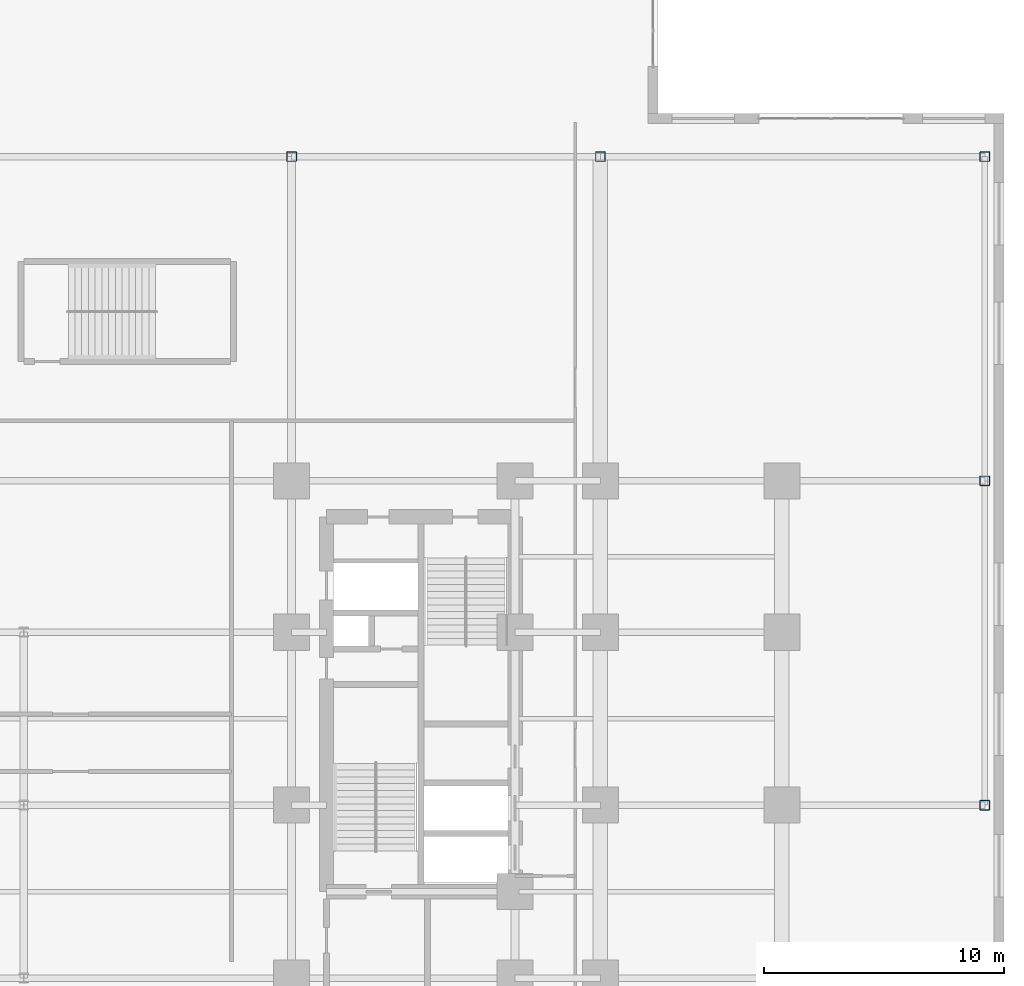
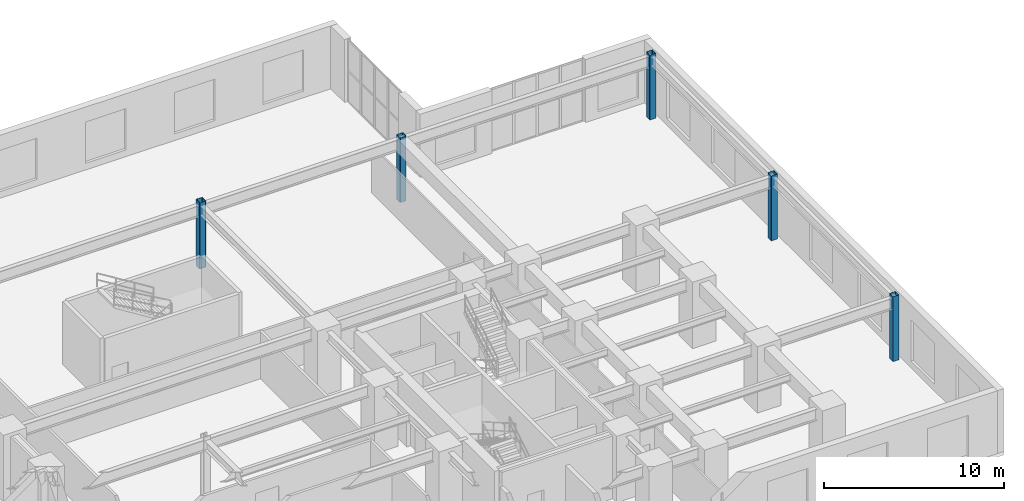
# One storey, part 2 of 15: 5 columns.
"""IFC4 building model written with IfcOpenShell, lengths in metres."""

from ifc_helpers import new_model, entity, si_unit, converted_unit, direction, frame, origin_with_axes, origin_2d_with_axis, place, context, subcontext, project, spatial, hollow_rectangle, extrude, material, material_profile, profile_set, type_object, element, save


model = new_model("IFC4")

# Units and contexts
model_context = context("Model", 3, precision=1e-05, world=origin_with_axes(), true_north=direction((0.0, 1.0)))
body_context = subcontext(model_context, "Body", "Model", "MODEL_VIEW")
ifc_project = project(units=[si_unit("LENGTHUNIT", "METRE"), si_unit("AREAUNIT", "SQUARE_METRE"), si_unit("VOLUMEUNIT", "CUBIC_METRE"), converted_unit("PLANEANGLEUNIT", "DEGREE", entity("IfcPlaneAngleMeasure", 0.017453292519943295), si_unit("PLANEANGLEUNIT", "RADIAN"), dimensions=[0, 0, 0, 0, 0, 0, 0]), si_unit("MASSUNIT", "GRAM", prefix="KILO"), si_unit("THERMODYNAMICTEMPERATUREUNIT", "KELVIN")], contexts=[model_context])

# Site, building, storey
site_placement = place(None, origin_with_axes())
site = spatial("IfcSite", under=ifc_project, at=site_placement, CompositionType="ELEMENT")
building_placement = place(site_placement, origin_with_axes())
building = spatial("IfcBuilding", under=site, at=building_placement, Name="Varnlund Millrace Tower", CompositionType="ELEMENT")
storey_placement = place(building_placement, frame((0.0, 0.0, 15.3), z_axis=(0.0, 0.0, 1.0), x_axis=(1.0, 0.0, 0.0)))
storey = spatial("IfcBuildingStorey", under=building, at=storey_placement, Name="L03", CompositionType="ELEMENT", Elevation=15.3)

# Columns
ifc_material = material(Name="Steel ASTM A500 Grade C", Category="steel")
ifc_material_profile = material_profile(ifc_material, hollow_rectangle(XDim=0.406, YDim=0.406, WallThickness=0.0147, InnerFilletRadius=0.015, OuterFilletRadius=0.03, at=origin_2d_with_axis()), Name="Steel ASTM A500 Grade C")
ifc_profile_set = profile_set([ifc_material_profile], Name="Steel ASTM A500 Grade C")
column_type = type_object("IfcColumnType", Name="Type-Col-Int-HSS16", PredefinedType="COLUMN", material=ifc_profile_set)
for number, where, z_axis, x_axis, name in (
    (1, (67.6, 10.8, 0.0), (0.0, 0.0, 1.0), (1.0, 0.0, 0.0), "Type-Col-Int-HSS16"),
    (2, (67.6, 24.3, 0.0), (0.0, 0.0, 1.0), (1.0, 0.0, 0.0), "Type-Col-Int-HSS16"),
    (3, (67.6, 37.8, 0.0), (0.0, 0.0, 1.0), (1.0, 0.0, 0.0), "Type-Col-Int-HSS16"),
):
    element("IfcColumn", number, at=place(storey_placement, frame(where, z_axis=z_axis, x_axis=x_axis)), inside=storey, type_object=column_type, Name=name, PredefinedType="COLUMN", context=body_context, shape_type="SweptSolid", body=[
        extrude(hollow_rectangle(XDim=0.406, YDim=0.406, WallThickness=0.0147, InnerFilletRadius=0.015, OuterFilletRadius=0.03, at=origin_2d_with_axis()), origin_with_axes(), (0.0, 0.0, 1.0), 4.392),
    ])
column_1_placement = place(storey_placement, frame((38.75, 37.8, 0.0), z_axis=(0.0, 0.0, 1.0), x_axis=(1.0, 0.0, 0.0)))
element("IfcColumn", 4, at=column_1_placement, inside=storey, type_object=column_type, Name="Type-Col-Int-HSS16", PredefinedType="COLUMN", context=body_context, shape_type="SweptSolid", body=[
    extrude(hollow_rectangle(XDim=0.406, YDim=0.406, WallThickness=0.0147, InnerFilletRadius=0.015, OuterFilletRadius=0.03, at=origin_2d_with_axis()), origin_with_axes(), (0.0, 0.0, 1.0), 4.5),
])
column_2_placement = place(storey_placement, frame((51.6, 37.8, 0.0), z_axis=(0.0, 0.0, 1.0), x_axis=(1.0, 0.0, 0.0)))
element("IfcColumn", 5, at=column_2_placement, inside=storey, type_object=column_type, Name="Type-Col-Int-HSS16", PredefinedType="COLUMN", context=body_context, shape_type="SweptSolid", body=[
    extrude(hollow_rectangle(XDim=0.406, YDim=0.406, WallThickness=0.0147, InnerFilletRadius=0.015, OuterFilletRadius=0.03, at=origin_2d_with_axis()), origin_with_axes(), (0.0, 0.0, 1.0), 4.392),
])

save(model, "model.ifc")
